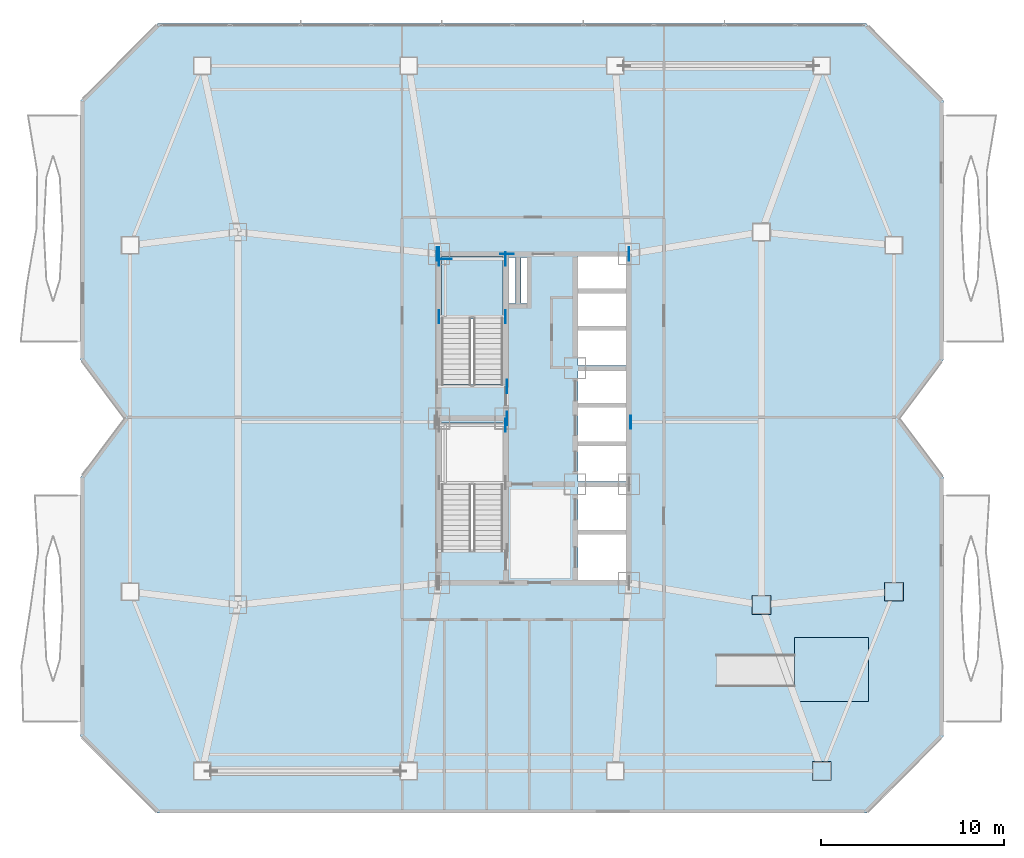
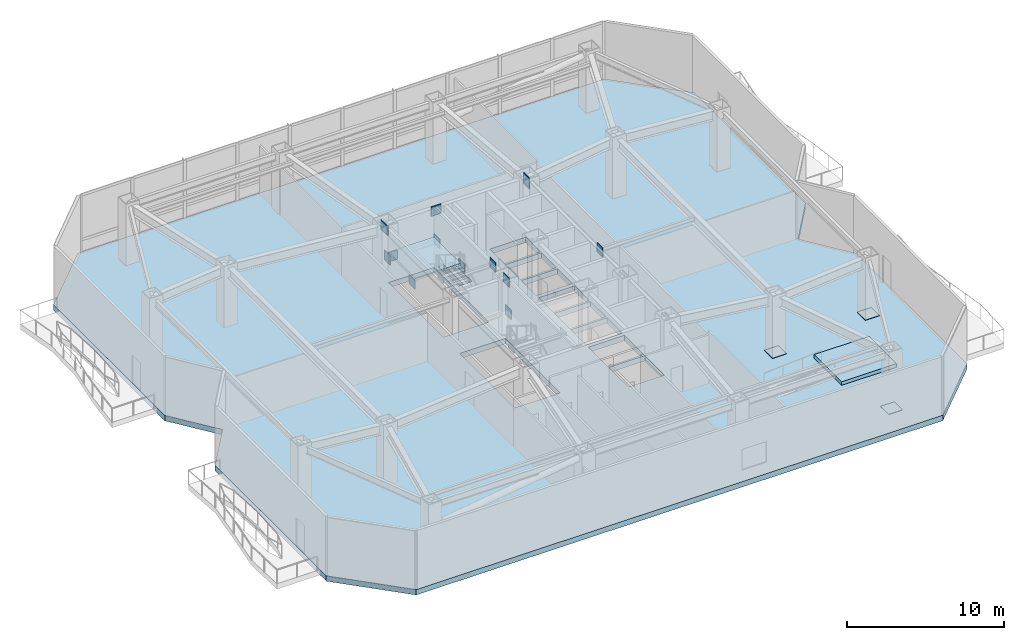
# One storey, part 6 of 14: 17 plates, 3 slabs, 1 element without a shape of its own.
"""IFC4 building model written with IfcOpenShell, lengths in metres."""

from ifc_helpers import new_model, si_unit, direction, frame, origin, origin_2d, place, context, subcontext, project, spatial, polyline, rectangle, outline, extrude, material, layer, layer_set, type_object, element, aggregate, save


model = new_model("IFC4")

# Units and contexts
model_context = context("Model", 3, precision=1e-05, world=origin(), true_north=direction((0.0, 1.0)))
body_context = subcontext(model_context, "Body", "Model", "MODEL_VIEW")
ifc_project = project(units=[si_unit("LENGTHUNIT", "METRE"), si_unit("AREAUNIT", "SQUARE_METRE"), si_unit("VOLUMEUNIT", "CUBIC_METRE"), si_unit("PLANEANGLEUNIT", "RADIAN"), si_unit("MASSUNIT", "GRAM", prefix="KILO")], contexts=[model_context])

# Site, building, storey
site_placement = place(None, origin())
site = spatial("IfcSite", under=ifc_project, at=site_placement, CompositionType="ELEMENT")
building_placement = place(site_placement, origin())
building = spatial("IfcBuilding", under=site, at=building_placement, Name="Khamvora Tower", CompositionType="ELEMENT")
storey_placement = place(building_placement, frame((0.0, 0.0, 89.800048828125)))
storey = spatial("IfcBuildingStorey", under=building, at=storey_placement, Name="L22", CompositionType="ELEMENT", Elevation=89.800048828125)

# Plates
ifc_material_1 = material(Name="Steel S355", Category="steel")
ifc_layer_1 = layer(ifc_material_1, 0.02490234375)
ifc_layer_set_1 = layer_set([ifc_layer_1], Name="Steel S355")
plate_type_1 = type_object("IfcPlateType", Name="PL-CAP-25", PredefinedType="SHEET", material=ifc_layer_set_1)
for number, where, z_axis, x_axis, name in (
    (1, (49.949951171875, 8.699951171875, -0.00048828125), (0.0, 0.0, 1.0), (1.0, 0.0, 0.0), "L22 hollow section steel end cap plate 0155"),
    (2, (53.89990234375, 18.52001953125, -0.00048828125), (0.0, 0.0, 1.0), (1.0, 0.0, 0.0), "L22 hollow section steel end cap plate 0176"),
    (3, (46.64990234375, 17.800048828125, -0.00048828125), (0.0, 0.0, 1.0), (1.0, 0.0, 0.0), "L22 hollow section steel end cap plate 0182"),
):
    element("IfcPlate", number, at=place(storey_placement, frame(where, z_axis=z_axis, x_axis=x_axis)), inside=storey, type_object=plate_type_1, Name=name, PredefinedType="SHEET", context=body_context, shape_type="SweptSolid", body=[
        extrude(rectangle(XDim=1.030029296875, YDim=1.030029296875, at=origin_2d()), origin(), (0.0, 0.0, 1.0), 0.02490234375),
    ])
ifc_material_2 = material(Name="Steel S460", Category="steel")
ifc_layer_2 = layer(ifc_material_2, 0.034912109375)
ifc_layer_set_2 = layer_set([ifc_layer_2], Name="Steel S460")
plate_type_2 = type_object("IfcPlateType", Name="PL-EMB-35", PredefinedType="SHEET", material=ifc_layer_set_2)
for number, where, z_axis, x_axis, name in (
    (4, (32.64990234375, 27.6298828125, 1.708984375), (0.0, 0.0, 1.0), (1.0, 0.0, 0.0), "L22 core shear wall cast-in embed plate 0659"),
    (5, (29.0, 33.574951171875, 1.708984375), (0.0, 0.0, 1.0), (1.0, 0.0, 0.0), "L22 core shear wall cast-in embed plate 0660"),
    (6, (32.64990234375, 33.574951171875, 1.708984375), (0.0, 0.0, 1.0), (1.0, 0.0, 0.0), "L22 core shear wall cast-in embed plate 0661"),
    (7, (29.0, 36.72998046875, 1.708984375), (0.0, 0.0, 1.0), (1.0, 0.0, 0.0), "L22 core shear wall cast-in embed plate 0662"),
    (8, (32.64990234375, 36.72998046875, 1.708984375), (0.0, 0.0, 1.0), (1.0, 0.0, 0.0), "L22 core shear wall cast-in embed plate 0663"),
):
    element("IfcPlate", number, at=place(storey_placement, frame(where, z_axis=z_axis, x_axis=x_axis)), inside=storey, type_object=plate_type_2, Name=name, PredefinedType="SHEET", context=body_context, shape_type="SweptSolid", body=[
        extrude(rectangle(XDim=0.034912109375, YDim=0.719970703125, at=origin_2d()), origin(), (0.0, 0.0, 1.0), 0.719970703125),
    ])
plate_1_placement = place(storey_placement, frame((29.35009765625, 36.72998046875, 1.708984375), z_axis=(0.0, 0.0, 1.0), x_axis=(1.0, 0.0, 0.0)))
element("IfcPlate", 9, at=plate_1_placement, inside=storey, type_object=plate_type_2, Name="L22 core shear wall cast-in embed plate 0664", PredefinedType="SHEET", context=body_context, shape_type="SweptSolid", body=[
    extrude(rectangle(XDim=0.719970703125, YDim=0.034912109375, at=origin_2d()), origin(), (0.0, 0.0, 1.0), 0.719970703125),
])
for number, where, z_axis, x_axis, name in (
    (10, (29.0, 37.0, 3.8330078125), (0.0, 0.0, 1.0), (1.0, 0.0, 0.0), "L22 core shear wall cast-in embed plate 0667"),
    (11, (39.39990234375, 37.0, 3.8330078125), (0.0, 0.0, 1.0), (1.0, 0.0, 0.0), "L22 core shear wall cast-in embed plate 0668"),
    (12, (28.89990234375, 37.0, 3.9541015625), (0.0, 0.0, 1.0), (1.0, 0.0, 0.0), "L22 core shear wall cast-in embed plate 0671"),
    (13, (32.72998046875, 28.0, 3.9541015625), (0.0, 0.0, 1.0), (1.0, 0.0, 0.0), "L22 core shear wall cast-in embed plate 0673"),
):
    element("IfcPlate", number, at=place(storey_placement, frame(where, z_axis=z_axis, x_axis=x_axis)), inside=storey, type_object=plate_type_2, Name=name, PredefinedType="SHEET", context=body_context, shape_type="SweptSolid", body=[
        extrude(rectangle(XDim=0.034912109375, YDim=0.719970703125, at=origin_2d()), origin(), (0.0, 0.0, 1.0), 0.719970703125),
    ])
plate_2_placement = place(storey_placement, frame((32.72998046875, 37.0, 3.9541015625), z_axis=(0.0, 0.0, 1.0), x_axis=(1.0, 0.0, 0.0)))
element("IfcPlate", 14, at=plate_2_placement, inside=storey, type_object=plate_type_2, Name="L22 core shear wall cast-in embed plate 0674", PredefinedType="SHEET", context=body_context, shape_type="SweptSolid", body=[
    extrude(rectangle(XDim=0.719970703125, YDim=0.034912109375, at=origin_2d()), origin(), (0.0, 0.0, 1.0), 0.719970703125),
])
for number, where, z_axis, x_axis, name in (
    (15, (39.39990234375, 37.0, 3.9541015625), (0.0, 0.0, 1.0), (1.0, 0.0, 0.0), "L22 core shear wall cast-in embed plate 0677"),
    (16, (32.72998046875, 29.75, 4.09375), (0.0, 0.0, 1.0), (1.0, 0.0, 0.0), "L22 core shear wall cast-in embed plate 0681"),
    (17, (39.4990234375, 27.800048828125, 4.06396484375), (0.0, 0.0, 1.0), (1.0, 0.0, 0.0), "L22 core shear wall cast-in embed plate 0683"),
):
    element("IfcPlate", number, at=place(storey_placement, frame(where, z_axis=z_axis, x_axis=x_axis)), inside=storey, type_object=plate_type_2, Name=name, PredefinedType="SHEET", context=body_context, shape_type="SweptSolid", body=[
        extrude(rectangle(XDim=0.034912109375, YDim=0.719970703125, at=origin_2d()), origin(), (0.0, 0.0, 1.0), 0.719970703125),
    ])

# Slab
ifc_material_3 = material(Name="Concrete C40/50", Category="concrete")
ifc_layer_3 = layer(ifc_material_3, 0.419921875)
ifc_layer_set_3 = layer_set([ifc_layer_3], Name="Concrete C40/50")
slab_type_1 = type_object("IfcSlabType", Name="SLB-BASE-420", PredefinedType="FLOOR", material=ifc_layer_set_3)
slab_1_placement = place(storey_placement, frame((0.0, 0.0, -0.420166015625)))
element("IfcSlab", 18, at=slab_1_placement, inside=storey, type_object=slab_type_1, Name="L22 structural floor slab", PredefinedType="FLOOR", context=body_context, shape_type="SweptSolid", body=[
    extrude(outline(polyline([(13.60009765625, 6.39990234375), (52.39990234375, 6.39990234375), (56.60009765625, 10.60009765625), (56.60009765625, 24.800048828125), (54.199951171875, 28.0), (56.60009765625, 31.199951171875), (56.60009765625, 45.39990234375), (52.39990234375, 49.60009765625), (13.60009765625, 49.60009765625), (9.39990234375, 45.39990234375), (9.39990234375, 31.199951171875), (11.800048828125, 28.0), (9.39990234375, 24.800048828125), (9.39990234375, 10.60009765625), (13.60009765625, 6.39990234375)]), holes=[polyline([(32.5, 20.760009765625), (32.5, 27.75), (29.14990234375, 27.75), (29.14990234375, 20.760009765625), (32.5, 20.760009765625)]), polyline([(32.5, 29.860107421875), (32.5, 36.85009765625), (29.14990234375, 36.85009765625), (29.14990234375, 29.860107421875), (32.5, 29.860107421875)]), polyline([(36.60009765625, 19.14990234375), (39.25, 19.14990234375), (39.25, 21.64990234375), (36.60009765625, 21.64990234375), (36.60009765625, 19.14990234375)]), polyline([(36.60009765625, 21.800048828125), (39.25, 21.800048828125), (39.25, 24.25), (36.60009765625, 24.25), (36.60009765625, 21.800048828125)]), polyline([(36.60009765625, 24.550048828125), (39.25, 24.550048828125), (39.25, 26.5), (36.60009765625, 26.5), (36.60009765625, 24.550048828125)]), polyline([(36.60009765625, 26.64990234375), (39.25, 26.64990234375), (39.25, 28.60009765625), (36.60009765625, 28.60009765625), (36.60009765625, 26.64990234375)]), polyline([(36.60009765625, 28.75), (39.25, 28.75), (39.25, 30.60009765625), (36.60009765625, 30.60009765625), (36.60009765625, 28.75)]), polyline([(36.60009765625, 30.89990234375), (39.25, 30.89990234375), (39.25, 32.800048828125), (36.60009765625, 32.800048828125), (36.60009765625, 30.89990234375)]), polyline([(36.60009765625, 32.949951171875), (39.25, 32.949951171875), (39.25, 34.85009765625), (36.60009765625, 34.85009765625), (36.60009765625, 32.949951171875)]), polyline([(36.60009765625, 35.0), (39.25, 35.0), (39.25, 36.85009765625), (36.60009765625, 36.85009765625), (36.60009765625, 35.0)]), polyline([(32.800048828125, 34.300048828125), (33.199951171875, 34.300048828125), (33.199951171875, 36.800048828125), (32.800048828125, 36.800048828125), (32.800048828125, 34.300048828125)]), polyline([(33.47998046875, 34.300048828125), (33.820068359375, 34.300048828125), (33.820068359375, 36.800048828125), (33.47998046875, 36.800048828125), (33.47998046875, 34.300048828125)])]), origin(), (0.0, 0.0, 1.0), 0.420166015625),
])

# Stair, slab
stair_type = type_object("IfcStairType", Name="STR-ST-02", PredefinedType="HALF_TURN_STAIR", material=ifc_material_3)
stair_placement = place(storey_placement, origin())
stair = element("IfcStair", 19, at=stair_placement, inside=storey, type_object=stair_type, Name="L22 North Tower Exit Stair ST-02", PredefinedType="HALF_TURN_STAIR")
ifc_layer_4 = layer(ifc_material_3, 0.199951171875)
ifc_layer_set_4 = layer_set([ifc_layer_4], Name="Concrete C40/50")
slab_type_2 = type_object("IfcSlabType", Name="SLB-LND-200", PredefinedType="LANDING", material=ifc_layer_set_4)
slab_2_placement = place(storey_placement, frame((0.0, 0.0, 2.199951171875)))
slab_2 = element("IfcSlab", 20, at=slab_2_placement, type_object=slab_type_2, Name="ST-02 landing 1", PredefinedType="LANDING", context=body_context, shape_type="SweptSolid", body=[
    extrude(outline(polyline([(32.5, 33.455078125), (32.5, 36.85009765625), (29.14990234375, 36.85009765625), (29.14990234375, 33.455078125), (32.5, 33.455078125)])), origin(), (0.0, 0.0, 1.0), 0.199951171875),
])
aggregate(stair, [slab_2])

# Slab
ifc_material_4 = material(Name="Concrete C35/45", Category="concrete")
ifc_layer_5 = layer(ifc_material_4, 0.280029296875)
ifc_layer_set_5 = layer_set([ifc_layer_5], Name="Concrete C35/45")
slab_type_3 = type_object("IfcSlabType", Name="SLB-SCH-280", PredefinedType="FLOOR", material=ifc_layer_set_5)
slab_3_placement = place(storey_placement, origin())
element("IfcSlab", 21, at=slab_3_placement, inside=storey, type_object=slab_type_3, Name="L22 sky-garden raised planter deck slab", PredefinedType="FLOOR", context=body_context, shape_type="SweptSolid", body=[
    extrude(outline(polyline([(48.4541015625, 12.5), (52.5, 12.5), (52.5, 16.0), (48.4541015625, 16.0), (48.4541015625, 12.5)])), origin(), (0.0, 0.0, 1.0), 0.280029296875),
])

save(model, "model.ifc")
